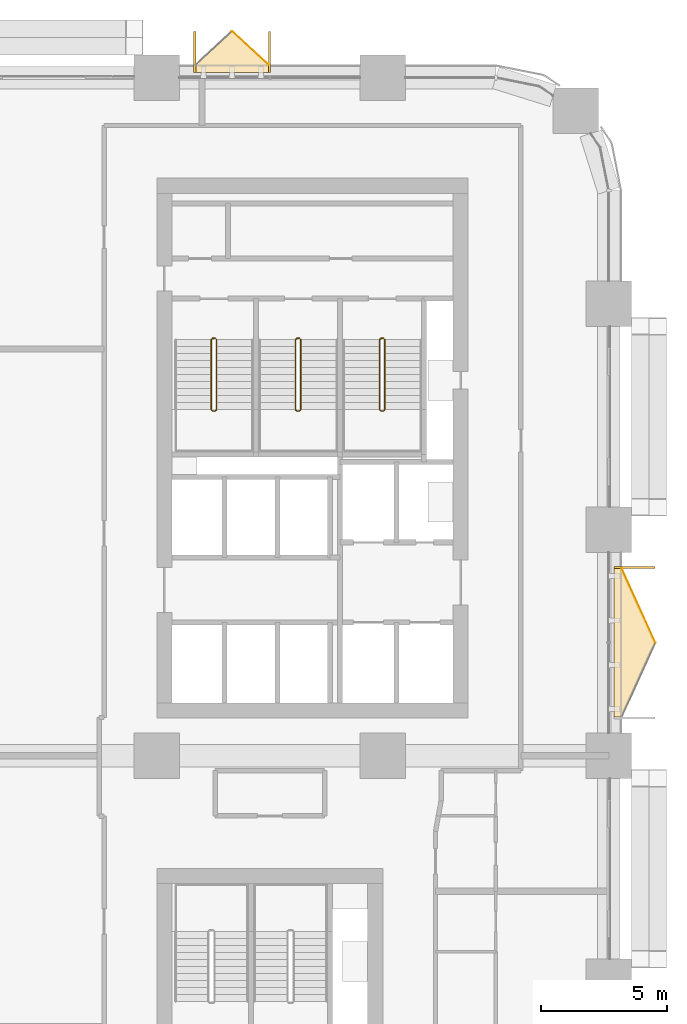
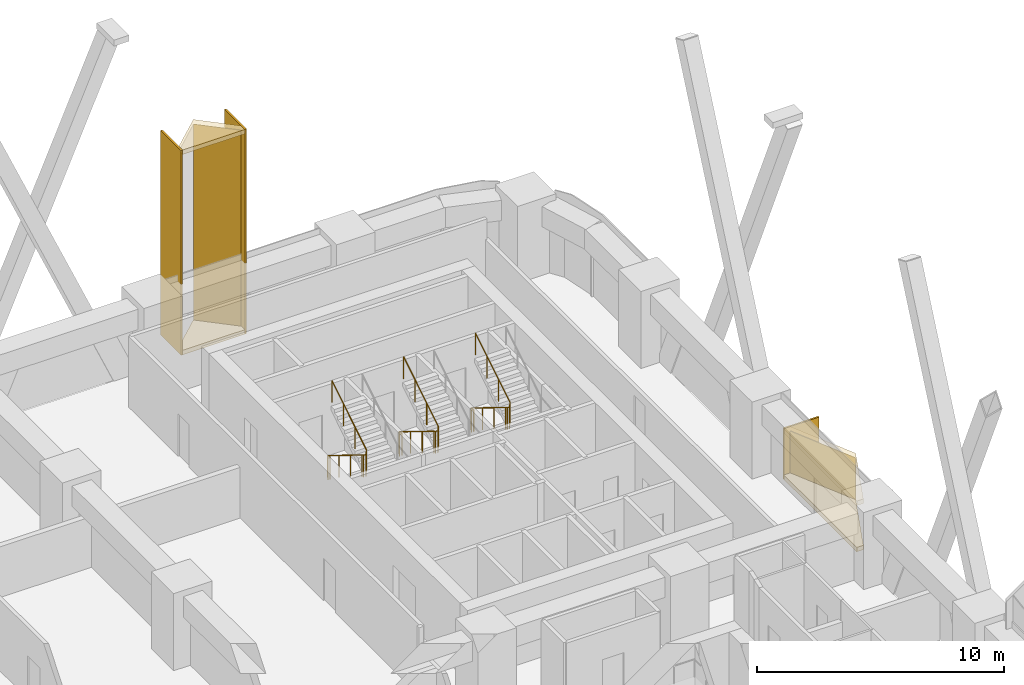
# One storey, part 24 of 24: 9 coverings, 3 railings.
"""IFC4 building model written with IfcOpenShell, lengths in metres."""

from ifc_helpers import new_model, si_unit, direction, frame, origin, origin_2d, place, context, subcontext, project, spatial, polyline, rectangle, circle, outline, extrude, material, layer, layer_set, type_object, element, save


model = new_model("IFC4")

# Units and contexts
model_context = context("Model", 3, precision=1e-05, world=origin(), true_north=direction((0.0, 1.0)))
body_context = subcontext(model_context, "Body", "Model", "MODEL_VIEW")
ifc_project = project(units=[si_unit("LENGTHUNIT", "METRE"), si_unit("AREAUNIT", "SQUARE_METRE"), si_unit("VOLUMEUNIT", "CUBIC_METRE"), si_unit("PLANEANGLEUNIT", "RADIAN"), si_unit("MASSUNIT", "GRAM", prefix="KILO")], contexts=[model_context])

# Site, building, storey
site_placement = place(None, origin())
site = spatial("IfcSite", under=ifc_project, at=site_placement, CompositionType="ELEMENT")
building_placement = place(site_placement, origin())
building = spatial("IfcBuilding", under=site, at=building_placement, Name="Tessera Arch", CompositionType="ELEMENT")
storey_placement = place(building_placement, frame((0.0, 0.0, 61.39990234375)))
storey = spatial("IfcBuildingStorey", under=building, at=storey_placement, Name="L13", CompositionType="ELEMENT", Elevation=61.39990234375)

# Railings
ifc_material_1 = material(Name="Painted steel balustrade", Category="steel")
railing_type = type_object("IfcRailingType", Name="Stair guard 1100", PredefinedType="GUARDRAIL", material=ifc_material_1)
railing_1_placement = place(storey_placement, frame((38.219970703125, 43.6298828125, 0.0)))
element("IfcRailing", 1, at=railing_1_placement, inside=storey, type_object=railing_type, Name="L13 S1a stair guard 1", PredefinedType="GUARDRAIL", context=body_context, shape_type="SweptSolid", body=[
    extrude(circle(Radius=0.02392578125, at=origin_2d()), frame((-0.00390625, 0.0, 1.076171875), z_axis=(1.0, 0.0, 0.0), x_axis=(0.0, 1.0, 0.0)), (0.0, 0.0, 1.0), 0.1181640625),
    extrude(circle(Radius=0.02392578125, at=origin_2d()), frame((0.11279296875, 0.000732421875, 1.0732421875), z_axis=(-0.664965661675, -0.206788102106, 0.717676354369), x_axis=(0.296948579431, -0.954893471113, 0.0)), (0.0, 0.0, 1.0), 0.248779296875),
    extrude(circle(Radius=0.02392578125, at=origin_2d()), frame((-0.050048828125, -0.04638671875, 1.246826171875), z_axis=(0.0, -0.851089632645, 0.525020415988), x_axis=(1.0, 0.0, 0.0)), (0.0, 0.0, 1.0), 3.2978515625),
    extrude(circle(Radius=0.02392578125, at=origin_2d()), frame((-0.052978515625, -2.846923828125, 2.97607421875), z_axis=(0.707106781187, -0.707106781187, 0.0), x_axis=(0.707106781187, 0.707106781187, 0.0)), (0.0, 0.0, 1.0), 0.078857421875),
    extrude(circle(Radius=0.02392578125, at=origin_2d()), frame((-0.00390625, -2.89990234375, 2.97607421875), z_axis=(1.0, 0.0, 0.0), x_axis=(0.0, 1.0, 0.0)), (0.0, 0.0, 1.0), 0.1181640625),
    extrude(circle(Radius=0.02392578125, at=origin_2d()), frame((0.109130859375, -2.90087890625, 2.972412109375), z_axis=(0.267062837333, 0.268371968888, 0.925556009775), x_axis=(-0.708833529934, 0.705375805398, 0.0)), (0.0, 0.0, 1.0), 0.194580078125),
    extrude(circle(Radius=0.02392578125, at=origin_2d()), frame((0.159912109375, -2.853271484375, 3.146728515625), z_axis=(0.0, 0.851089632645, 0.525020415988), x_axis=(-1.0, 0.0, 0.0)), (0.0, 0.0, 1.0), 3.2978515625),
    extrude(circle(Radius=0.02099609375, at=origin_2d()), origin(), (0.0, 0.0, 1.0), 1.06396484375),
    extrude(circle(Radius=0.02099609375, at=origin_2d()), frame((0.110107421875, 0.0, 0.0)), (0.0, 0.0, 1.0), 1.06396484375),
    extrude(circle(Radius=0.02099609375, at=origin_2d()), frame((-0.050048828125, -0.0498046875, 0.1728515625)), (0.0, 0.0, 1.0), 1.06396484375),
    extrude(circle(Radius=0.02099609375, at=origin_2d()), frame((-0.050048828125, -0.983154296875, 0.74853515625)), (0.0, 0.0, 1.0), 1.06396484375),
    extrude(circle(Radius=0.02099609375, at=origin_2d()), frame((-0.050048828125, -1.91650390625, 1.324462890625)), (0.0, 0.0, 1.0), 1.06396484375),
    extrude(circle(Radius=0.02099609375, at=origin_2d()), frame((-0.050048828125, -2.849853515625, 1.900146484375)), (0.0, 0.0, 1.0), 1.06396484375),
    extrude(circle(Radius=0.02099609375, at=origin_2d()), frame((0.0, -2.89990234375, 1.900146484375)), (0.0, 0.0, 1.0), 1.06396484375),
    extrude(circle(Radius=0.02099609375, at=origin_2d()), frame((0.110107421875, -2.89990234375, 1.900146484375)), (0.0, 0.0, 1.0), 1.06396484375),
    extrude(circle(Radius=0.02099609375, at=origin_2d()), frame((0.159912109375, -2.849853515625, 2.07275390625)), (0.0, 0.0, 1.0), 1.06396484375),
    extrude(circle(Radius=0.02099609375, at=origin_2d()), frame((0.159912109375, -1.91650390625, 2.6484375)), (0.0, 0.0, 1.0), 1.06396484375),
    extrude(circle(Radius=0.02099609375, at=origin_2d()), frame((0.159912109375, -0.983154296875, 3.224365234375)), (0.0, 0.0, 1.0), 1.06396484375),
    extrude(circle(Radius=0.02099609375, at=origin_2d()), frame((0.159912109375, -0.0498046875, 3.800048828125)), (0.0, 0.0, 1.0), 1.06396484375),
])
railing_2_placement = place(storey_placement, frame((41.570068359375, 43.6298828125, 0.0)))
element("IfcRailing", 2, at=railing_2_placement, inside=storey, type_object=railing_type, Name="L13 S1b stair guard 1", PredefinedType="GUARDRAIL", context=body_context, shape_type="SweptSolid", body=[
    extrude(circle(Radius=0.02392578125, at=origin_2d()), frame((-0.00390625, 0.0, 1.076171875), z_axis=(1.0, 0.0, 0.0), x_axis=(0.0, 1.0, 0.0)), (0.0, 0.0, 1.0), 0.117919921875),
    extrude(circle(Radius=0.02392578125, at=origin_2d()), frame((0.112548828125, 0.000732421875, 1.0732421875), z_axis=(-0.664399645116, -0.206927523059, 0.718160227087), x_axis=(0.297361876254, -0.954764847777, 0.0)), (0.0, 0.0, 1.0), 0.248779296875),
    extrude(circle(Radius=0.02392578125, at=origin_2d()), frame((-0.050048828125, -0.04638671875, 1.246826171875), z_axis=(0.0, -0.851089632645, 0.525020415988), x_axis=(1.0, 0.0, 0.0)), (0.0, 0.0, 1.0), 3.2978515625),
    extrude(circle(Radius=0.02392578125, at=origin_2d()), frame((-0.052978515625, -2.846923828125, 2.97607421875), z_axis=(0.707106781187, -0.707106781187, 0.0), x_axis=(0.707106781187, 0.707106781187, 0.0)), (0.0, 0.0, 1.0), 0.078857421875),
    extrude(circle(Radius=0.02392578125, at=origin_2d()), frame((-0.00390625, -2.89990234375, 2.97607421875), z_axis=(1.0, 0.0, 0.0), x_axis=(0.0, 1.0, 0.0)), (0.0, 0.0, 1.0), 0.117919921875),
    extrude(circle(Radius=0.02392578125, at=origin_2d()), frame((0.10888671875, -2.90087890625, 2.972412109375), z_axis=(0.268277960024, 0.268277960024, 0.925231793839), x_axis=(-0.707106781187, 0.707106781187, 0.0)), (0.0, 0.0, 1.0), 0.194580078125),
    extrude(circle(Radius=0.02392578125, at=origin_2d()), frame((0.159912109375, -2.853271484375, 3.146728515625), z_axis=(0.0, 0.851089632645, 0.525020415988), x_axis=(-1.0, 0.0, 0.0)), (0.0, 0.0, 1.0), 3.2978515625),
    extrude(circle(Radius=0.02099609375, at=origin_2d()), origin(), (0.0, 0.0, 1.0), 1.06396484375),
    extrude(circle(Radius=0.02099609375, at=origin_2d()), frame((0.10986328125, 0.0, 0.0)), (0.0, 0.0, 1.0), 1.06396484375),
    extrude(circle(Radius=0.02099609375, at=origin_2d()), frame((-0.050048828125, -0.0498046875, 0.1728515625)), (0.0, 0.0, 1.0), 1.06396484375),
    extrude(circle(Radius=0.02099609375, at=origin_2d()), frame((-0.050048828125, -0.983154296875, 0.74853515625)), (0.0, 0.0, 1.0), 1.06396484375),
    extrude(circle(Radius=0.02099609375, at=origin_2d()), frame((-0.050048828125, -1.91650390625, 1.324462890625)), (0.0, 0.0, 1.0), 1.06396484375),
    extrude(circle(Radius=0.02099609375, at=origin_2d()), frame((-0.050048828125, -2.849853515625, 1.900146484375)), (0.0, 0.0, 1.0), 1.06396484375),
    extrude(circle(Radius=0.02099609375, at=origin_2d()), frame((0.0, -2.89990234375, 1.900146484375)), (0.0, 0.0, 1.0), 1.06396484375),
    extrude(circle(Radius=0.02099609375, at=origin_2d()), frame((0.10986328125, -2.89990234375, 1.900146484375)), (0.0, 0.0, 1.0), 1.06396484375),
    extrude(circle(Radius=0.02099609375, at=origin_2d()), frame((0.159912109375, -2.849853515625, 2.07275390625)), (0.0, 0.0, 1.0), 1.06396484375),
    extrude(circle(Radius=0.02099609375, at=origin_2d()), frame((0.159912109375, -1.91650390625, 2.6484375)), (0.0, 0.0, 1.0), 1.06396484375),
    extrude(circle(Radius=0.02099609375, at=origin_2d()), frame((0.159912109375, -0.983154296875, 3.224365234375)), (0.0, 0.0, 1.0), 1.06396484375),
    extrude(circle(Radius=0.02099609375, at=origin_2d()), frame((0.159912109375, -0.0498046875, 3.800048828125)), (0.0, 0.0, 1.0), 1.06396484375),
])
railing_3_placement = place(storey_placement, frame((44.919921875, 43.6298828125, 0.0)))
element("IfcRailing", 3, at=railing_3_placement, inside=storey, type_object=railing_type, Name="L13 S1c stair guard 1", PredefinedType="GUARDRAIL", context=body_context, shape_type="SweptSolid", body=[
    extrude(circle(Radius=0.02392578125, at=origin_2d()), frame((-0.00390625, 0.0, 1.076171875), z_axis=(1.0, 0.0, 0.0), x_axis=(0.0, 1.0, 0.0)), (0.0, 0.0, 1.0), 0.1181640625),
    extrude(circle(Radius=0.02392578125, at=origin_2d()), frame((0.11279296875, 0.000732421875, 1.0732421875), z_axis=(-0.664399645116, -0.206927523059, 0.718160227087), x_axis=(0.297361876254, -0.954764847777, 0.0)), (0.0, 0.0, 1.0), 0.248779296875),
    extrude(circle(Radius=0.02392578125, at=origin_2d()), frame((-0.0498046875, -0.04638671875, 1.246826171875), z_axis=(0.0, -0.851089632645, 0.525020415988), x_axis=(1.0, 0.0, 0.0)), (0.0, 0.0, 1.0), 3.2978515625),
    extrude(circle(Radius=0.02392578125, at=origin_2d()), frame((-0.052734375, -2.846923828125, 2.97607421875), z_axis=(0.705375805398, -0.708833529934, 0.0), x_axis=(0.708833529934, 0.705375805398, 0.0)), (0.0, 0.0, 1.0), 0.07861328125),
    extrude(circle(Radius=0.02392578125, at=origin_2d()), frame((-0.00390625, -2.89990234375, 2.97607421875), z_axis=(1.0, 0.0, 0.0), x_axis=(0.0, 1.0, 0.0)), (0.0, 0.0, 1.0), 0.1181640625),
    extrude(circle(Radius=0.02392578125, at=origin_2d()), frame((0.109130859375, -2.90087890625, 2.972412109375), z_axis=(0.268277960024, 0.268277960024, 0.925231793839), x_axis=(-0.707106781187, 0.707106781187, 0.0)), (0.0, 0.0, 1.0), 0.194580078125),
    extrude(circle(Radius=0.02392578125, at=origin_2d()), frame((0.16015625, -2.853271484375, 3.146728515625), z_axis=(0.0, 0.851089632645, 0.525020415988), x_axis=(-1.0, 0.0, 0.0)), (0.0, 0.0, 1.0), 3.2978515625),
    extrude(circle(Radius=0.02099609375, at=origin_2d()), origin(), (0.0, 0.0, 1.0), 1.06396484375),
    extrude(circle(Radius=0.02099609375, at=origin_2d()), frame((0.110107421875, 0.0, 0.0)), (0.0, 0.0, 1.0), 1.06396484375),
    extrude(circle(Radius=0.02099609375, at=origin_2d()), frame((-0.0498046875, -0.0498046875, 0.1728515625)), (0.0, 0.0, 1.0), 1.06396484375),
    extrude(circle(Radius=0.02099609375, at=origin_2d()), frame((-0.0498046875, -0.983154296875, 0.74853515625)), (0.0, 0.0, 1.0), 1.06396484375),
    extrude(circle(Radius=0.02099609375, at=origin_2d()), frame((-0.0498046875, -1.91650390625, 1.324462890625)), (0.0, 0.0, 1.0), 1.06396484375),
    extrude(circle(Radius=0.02099609375, at=origin_2d()), frame((-0.0498046875, -2.849853515625, 1.900146484375)), (0.0, 0.0, 1.0), 1.06396484375),
    extrude(circle(Radius=0.02099609375, at=origin_2d()), frame((0.0, -2.89990234375, 1.900146484375)), (0.0, 0.0, 1.0), 1.06396484375),
    extrude(circle(Radius=0.02099609375, at=origin_2d()), frame((0.110107421875, -2.89990234375, 1.900146484375)), (0.0, 0.0, 1.0), 1.06396484375),
    extrude(circle(Radius=0.02099609375, at=origin_2d()), frame((0.16015625, -2.849853515625, 2.07275390625)), (0.0, 0.0, 1.0), 1.06396484375),
    extrude(circle(Radius=0.02099609375, at=origin_2d()), frame((0.16015625, -1.91650390625, 2.6484375)), (0.0, 0.0, 1.0), 1.06396484375),
    extrude(circle(Radius=0.02099609375, at=origin_2d()), frame((0.16015625, -0.983154296875, 3.224365234375)), (0.0, 0.0, 1.0), 1.06396484375),
    extrude(circle(Radius=0.02099609375, at=origin_2d()), frame((0.16015625, -0.0498046875, 3.800048828125)), (0.0, 0.0, 1.0), 1.06396484375),
])

# Coverings
ifc_material_2 = material(Name="Anodised aluminium pale metal", Category="aluminium")
ifc_layer_1 = layer(ifc_material_2, 0.080078125)
ifc_layer_set_1 = layer_set([ifc_layer_1], Name="Window box cheek")
covering_type_1 = type_object("IfcCoveringType", Name="Window box cheek", PredefinedType="CLADDING", material=ifc_layer_set_1)
covering_1_placement = place(storey_placement, origin())
element("IfcCovering", 4, at=covering_1_placement, inside=storey, type_object=covering_type_1, Name="Window box N54.0/1.1 1x3 cheek", PredefinedType="CLADDING", context=body_context, shape_type="SweptSolid", body=[
    extrude(outline(polyline([(40.530029296875, 55.85009765625), (40.449951171875, 55.85009765625), (40.449951171875, 54.199951171875), (40.530029296875, 54.199951171875), (40.530029296875, 55.85009765625)])), origin(), (0.0, 0.0, 1.0), 10.10009765625),
])
covering_2_placement = place(storey_placement, origin())
element("IfcCovering", 5, at=covering_2_placement, inside=storey, type_object=covering_type_1, Name="Window box N54.0/1.1 1x3 cheek", PredefinedType="CLADDING", context=body_context, shape_type="SweptSolid", body=[
    extrude(outline(polyline([(37.550048828125, 55.85009765625), (37.469970703125, 55.85009765625), (37.469970703125, 54.199951171875), (37.550048828125, 54.199951171875), (37.550048828125, 55.85009765625)])), origin(), (0.0, 0.0, 1.0), 10.10009765625),
])
covering_3_placement = place(storey_placement, origin())
element("IfcCovering", 6, at=covering_3_placement, inside=storey, type_object=covering_type_1, Name="Window box E54.0/3.0 2x1 cheek", PredefinedType="CLADDING", context=body_context, shape_type="SweptSolid", body=[
    extrude(outline(polyline([(55.85009765625, 34.449951171875), (55.85009765625, 34.530029296875), (54.199951171875, 34.530029296875), (54.199951171875, 34.449951171875), (55.85009765625, 34.449951171875)])), origin(), (0.0, 0.0, 1.0), 2.5),
])
ifc_material_3 = material(Name="Anodised aluminium cobalt blue", Category="aluminium")
ifc_layer_2 = layer(ifc_material_3, 0.219970703125)
ifc_layer_set_2 = layer_set([ifc_layer_2], Name="Window box frame plate cobalt")
covering_type_2 = type_object("IfcCoveringType", Name="Window box frame plate cobalt", PredefinedType="CLADDING", material=ifc_layer_set_2)
covering_4_placement = place(storey_placement, origin())
element("IfcCovering", 7, at=covering_4_placement, inside=storey, type_object=covering_type_2, Name="Window box N54.0/1.1 1x3 floor", PredefinedType="CLADDING", context=body_context, shape_type="SweptSolid", body=[
    extrude(outline(polyline([(40.449951171875, 54.510009765625), (39.0, 55.85009765625), (37.550048828125, 54.510009765625), (37.550048828125, 54.199951171875), (40.449951171875, 54.199951171875), (40.449951171875, 54.510009765625)])), origin(), (0.0, 0.0, 1.0), 0.22021484375),
])
covering_5_placement = place(storey_placement, frame((0.0, 0.0, 9.880126953125)))
element("IfcCovering", 8, at=covering_5_placement, inside=storey, type_object=covering_type_2, Name="Window box N54.0/1.1 1x3 roof", PredefinedType="CLADDING", context=body_context, shape_type="SweptSolid", body=[
    extrude(outline(polyline([(40.449951171875, 54.510009765625), (39.0, 55.85009765625), (37.550048828125, 54.510009765625), (37.550048828125, 54.199951171875), (40.449951171875, 54.199951171875), (40.449951171875, 54.510009765625)])), origin(), (0.0, 0.0, 1.0), 0.219970703125),
])
ifc_material_4 = material(Name="Anodised aluminium gold", Category="aluminium")
ifc_layer_3 = layer(ifc_material_4, 0.219970703125)
ifc_layer_set_3 = layer_set([ifc_layer_3], Name="Window box frame plate gold")
covering_type_3 = type_object("IfcCoveringType", Name="Window box frame plate gold", PredefinedType="CLADDING", material=ifc_layer_set_3)
covering_6_placement = place(storey_placement, origin())
element("IfcCovering", 9, at=covering_6_placement, inside=storey, type_object=covering_type_3, Name="Window box E54.0/3.0 2x1 floor", PredefinedType="CLADDING", context=body_context, shape_type="SweptSolid", body=[
    extrude(outline(polyline([(54.510009765625, 28.550048828125), (55.85009765625, 31.5), (54.510009765625, 34.449951171875), (54.199951171875, 34.449951171875), (54.199951171875, 28.550048828125), (54.510009765625, 28.550048828125)])), origin(), (0.0, 0.0, 1.0), 0.22021484375),
])
covering_7_placement = place(storey_placement, frame((0.0, 0.0, 2.280029296875)))
element("IfcCovering", 10, at=covering_7_placement, inside=storey, type_object=covering_type_3, Name="Window box E54.0/3.0 2x1 roof", PredefinedType="CLADDING", context=body_context, shape_type="SweptSolid", body=[
    extrude(outline(polyline([(54.510009765625, 28.550048828125), (55.85009765625, 31.5), (54.510009765625, 34.449951171875), (54.199951171875, 34.449951171875), (54.199951171875, 28.550048828125), (54.510009765625, 28.550048828125)])), origin(), (0.0, 0.0, 1.0), 0.219970703125),
])
ifc_material_5 = material(Name="Anodised aluminium pale metal", Category="aluminium")
ifc_layer_4 = layer(ifc_material_5, 0.028076171875)
ifc_layer_set_4 = layer_set([ifc_layer_4], Name="Window box side panel")
covering_type_4 = type_object("IfcCoveringType", Name="Window box side panel", PredefinedType="CLADDING", material=ifc_layer_set_4)
covering_8_placement = place(storey_placement, frame((39.72509765625, 55.179931640625, 0.22021484375), z_axis=(0.0, 0.0, 1.0), x_axis=(-0.734414958885, 0.678700720617, 0.0)))
element("IfcCovering", 11, at=covering_8_placement, inside=storey, type_object=covering_type_4, Name="Window box N54.0/1.1 1x3 side panel", PredefinedType="CLADDING", context=body_context, shape_type="SweptSolid", body=[
    extrude(rectangle(XDim=1.974365234375, YDim=0.028076171875, at=origin_2d()), origin(), (0.0, 0.0, 1.0), 9.659912109375),
])
covering_9_placement = place(storey_placement, frame((55.179931640625, 32.97509765625, 0.219970703125), z_axis=(0.0, 0.0, 1.0), x_axis=(0.413570397858, -0.910472144558, 0.0)))
element("IfcCovering", 12, at=covering_9_placement, inside=storey, type_object=covering_type_4, Name="Window box E54.0/3.0 2x1 side panel", PredefinedType="CLADDING", context=body_context, shape_type="SweptSolid", body=[
    extrude(rectangle(XDim=3.239990234375, YDim=0.028076171875, at=origin_2d()), origin(), (0.0, 0.0, 1.0), 2.06005859375),
])

save(model, "model.ifc")
